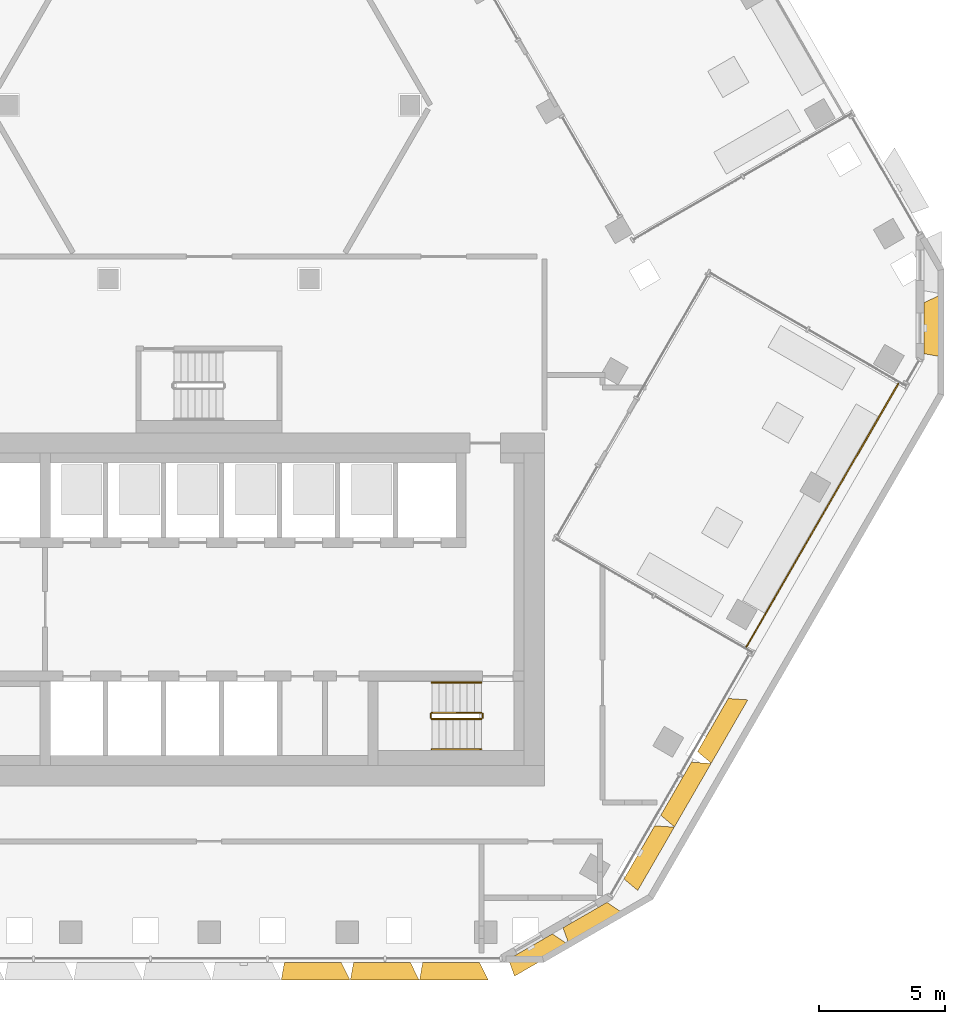
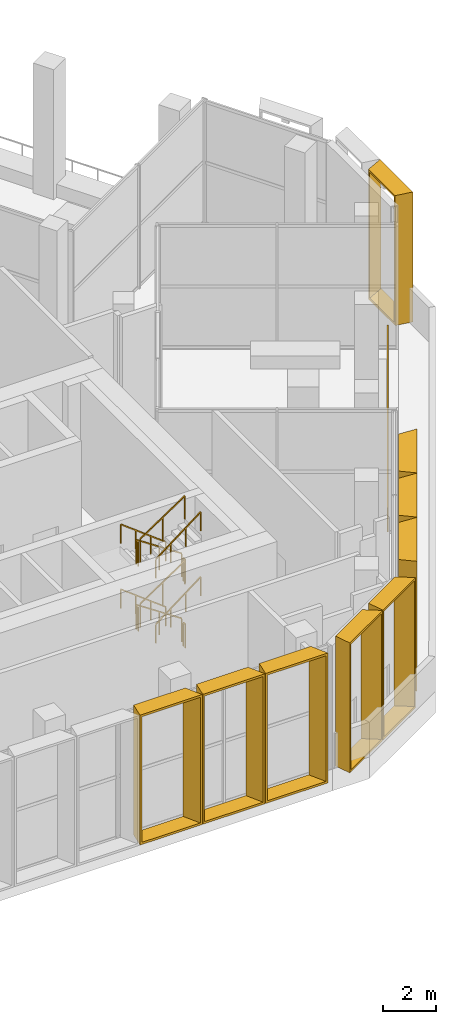
# One storey, part 24 of 27: 13 railings, 9 shading devices.
"""IFC4 building model written with IfcOpenShell, lengths in metres."""

from ifc_helpers import new_model, entity, si_unit, direction, frame, origin, origin_2d, place, context, subcontext, project, spatial, rectangle, extrude, source, transform, mapped, material, type_object, type_shapes, element, save


model = new_model("IFC4")

# Units and contexts
model_context = context("Model", 3, precision=1e-05, world=origin(), true_north=direction((0.0, 1.0)))
body_context = subcontext(model_context, "Body", "Model", "MODEL_VIEW")
ifc_project = project(units=[si_unit("LENGTHUNIT", "METRE"), si_unit("AREAUNIT", "SQUARE_METRE"), si_unit("VOLUMEUNIT", "CUBIC_METRE"), si_unit("PLANEANGLEUNIT", "RADIAN"), si_unit("MASSUNIT", "GRAM", prefix="KILO")], contexts=[model_context])

# Site, building, storey
site_placement = place(None, origin())
site = spatial("IfcSite", under=ifc_project, at=site_placement, CompositionType="ELEMENT")
building_placement = place(site_placement, origin())
building = spatial("IfcBuilding", under=site, at=building_placement, Name="Beryl Residences", CompositionType="ELEMENT")
storey_placement = place(building_placement, frame((0.0, 0.0, 111.60009765625)))
storey = spatial("IfcBuildingStorey", under=building, at=storey_placement, Name="L34", CompositionType="ELEMENT", Elevation=111.60009765625)

# Shading devices
ifc_material_1 = material(Name="Aluminium pale anodised", Category="aluminium")
shading_device_type_1 = type_object("IfcShadingDeviceType", Name="FR250-70C-H60 OUTER SKIN frame 700 mm deep, splay 10/26 deg, 2500 x 6000 mm cell", PredefinedType="USERDEFINED", material=ifc_material_1)
cartesian_point_1 = entity("IfcCartesianPoint", [-1.007568359375, 0.0])
cartesian_point_2 = entity("IfcCartesianPoint", [-0.92626953125, 0.10009765625])
cartesian_point_3 = entity("IfcCartesianPoint", [-1.130859375, 0.0])
cartesian_point_4 = entity("IfcCartesianPoint", [-1.0498046875, 0.10009765625])
shared_shape_1 = source(origin(), body_context, "Body", "SweptSolid", [
    entity("IfcExtrudedAreaSolidTapered", entity("IfcArbitraryProfileDefWithVoids", "AREA", None, entity("IfcPolyline", [cartesian_point_1, entity("IfcCartesianPoint", [1.007568359375, 0.0]), entity("IfcCartesianPoint", [1.007568359375, 6.0]), entity("IfcCartesianPoint", [-1.007568359375, 6.0]), cartesian_point_1]), [entity("IfcPolyline", [cartesian_point_2, entity("IfcCartesianPoint", [0.91845703125, 0.10009765625]), entity("IfcCartesianPoint", [0.91845703125, 5.89990234375]), entity("IfcCartesianPoint", [-0.92626953125, 5.89990234375]), cartesian_point_2])]), entity("IfcAxis2Placement3D", entity("IfcCartesianPoint", [0.0, 0.0, 0.0]), entity("IfcDirection", [0.0, 1.0, 0.0]), entity("IfcDirection", [-1.0, 0.0, 0.0])), entity("IfcDirection", [0.0, 0.0, 1.0]), 0.699951171875, entity("IfcArbitraryProfileDefWithVoids", "AREA", None, entity("IfcPolyline", [cartesian_point_3, entity("IfcCartesianPoint", [1.348876953125, 0.0]), entity("IfcCartesianPoint", [1.348876953125, 6.0]), entity("IfcCartesianPoint", [-1.130859375, 6.0]), cartesian_point_3]), [entity("IfcPolyline", [cartesian_point_4, entity("IfcCartesianPoint", [1.260009765625, 0.10009765625]), entity("IfcCartesianPoint", [1.260009765625, 5.89990234375]), entity("IfcCartesianPoint", [-1.0498046875, 5.89990234375]), cartesian_point_4])])),
])
type_shapes(shading_device_type_1, [shared_shape_1])
for number, where, z_axis, x_axis, name in (
    (1, (12.7451171875, -25.375, 0.0), (0.0, 0.0, 1.0), (-0.866025403784, -0.5, 0.0), "FR250-70C-H60 frame L34 S-SE 1"),
    (2, (14.909912109375, -24.125, 0.0), (0.0, 0.0, 1.0), (-0.866025403784, -0.5, 0.0), "FR250-70C-H60 frame L34 S-SE 2"),
    (3, (28.347900390625, -0.85009765625, 0.0), (0.0, 0.0, 1.0), (0.0, -1.0, 0.0), "FR250-70C-H60 frame L34 SE-NE 1"),
):
    element("IfcShadingDevice", number, at=place(storey_placement, frame(where, z_axis=z_axis, x_axis=x_axis)), inside=storey, type_object=shading_device_type_1, Name=name, ObjectType="OUTER SKIN", PredefinedType="USERDEFINED", context=body_context, shape_type="MappedRepresentation", body=[
        mapped(shared_shape_1, transform((0.0, 0.0, 0.0))),
    ])
ifc_material_2 = material(Name="Aluminium pale anodised", Category="aluminium")
shading_device_type_2 = type_object("IfcShadingDeviceType", Name="FR274-70C-H60 OUTER SKIN frame 700 mm deep, splay 10/26 deg, 2740 x 6000 mm cell", PredefinedType="USERDEFINED", material=ifc_material_2)
cartesian_point_5 = entity("IfcCartesianPoint", [-1.12744140625, 0.0])
cartesian_point_6 = entity("IfcCartesianPoint", [-1.04638671875, 0.10009765625])
cartesian_point_7 = entity("IfcCartesianPoint", [-1.2509765625, 0.0])
cartesian_point_8 = entity("IfcCartesianPoint", [-1.169677734375, 0.10009765625])
shared_shape_2 = source(origin(), body_context, "Body", "SweptSolid", [
    entity("IfcExtrudedAreaSolidTapered", entity("IfcArbitraryProfileDefWithVoids", "AREA", None, entity("IfcPolyline", [cartesian_point_5, entity("IfcCartesianPoint", [1.12744140625, 0.0]), entity("IfcCartesianPoint", [1.12744140625, 6.0]), entity("IfcCartesianPoint", [-1.12744140625, 6.0]), cartesian_point_5]), [entity("IfcPolyline", [cartesian_point_6, entity("IfcCartesianPoint", [1.03857421875, 0.10009765625]), entity("IfcCartesianPoint", [1.03857421875, 5.89990234375]), entity("IfcCartesianPoint", [-1.04638671875, 5.89990234375]), cartesian_point_6])]), entity("IfcAxis2Placement3D", entity("IfcCartesianPoint", [0.0, 0.0, 0.0]), entity("IfcDirection", [0.0, 1.0, 0.0]), entity("IfcDirection", [-1.0, 0.0, 0.0])), entity("IfcDirection", [0.0, 0.0, 1.0]), 0.699951171875, entity("IfcArbitraryProfileDefWithVoids", "AREA", None, entity("IfcPolyline", [cartesian_point_7, entity("IfcCartesianPoint", [1.468994140625, 0.0]), entity("IfcCartesianPoint", [1.468994140625, 6.0]), entity("IfcCartesianPoint", [-1.2509765625, 6.0]), cartesian_point_7]), [entity("IfcPolyline", [cartesian_point_8, entity("IfcCartesianPoint", [1.3798828125, 0.10009765625]), entity("IfcCartesianPoint", [1.3798828125, 5.89990234375]), entity("IfcCartesianPoint", [-1.169677734375, 5.89990234375]), cartesian_point_8])])),
])
type_shapes(shading_device_type_2, [shared_shape_2])
for number, where, z_axis, x_axis, name in (
    (4, (4.114990234375, -26.0, 0.0), (0.0, 0.0, 1.0), (-1.0, 0.0, 0.0), "FR274-70C-H60 frame L34 S 6"),
    (5, (6.85693359375, -26.0, 0.0), (0.0, 0.0, 1.0), (-1.0, 0.0, 0.0), "FR274-70C-H60 frame L34 S 7"),
    (6, (9.60009765625, -26.0, 0.0), (0.0, 0.0, 1.0), (-1.0, 0.0, 0.0), "FR274-70C-H60 frame L34 S 8"),
):
    element("IfcShadingDevice", number, at=place(storey_placement, frame(where, z_axis=z_axis, x_axis=x_axis)), inside=storey, type_object=shading_device_type_2, Name=name, ObjectType="OUTER SKIN", PredefinedType="USERDEFINED", context=body_context, shape_type="MappedRepresentation", body=[
        mapped(shared_shape_2, transform((0.0, 0.0, 0.0))),
    ])
ifc_material_3 = material(Name="Aluminium pale anodised", Category="aluminium")
shading_device_type_3 = type_object("IfcShadingDeviceType", Name="FR292-70C-H60 OUTER SKIN frame 700 mm deep, splay 10/26 deg, 2920 x 6000 mm cell", PredefinedType="USERDEFINED", material=ifc_material_3)
cartesian_point_9 = entity("IfcCartesianPoint", [-1.217529296875, 0.0])
cartesian_point_10 = entity("IfcCartesianPoint", [-1.13623046875, 0.10009765625])
cartesian_point_11 = entity("IfcCartesianPoint", [-1.3408203125, 0.0])
cartesian_point_12 = entity("IfcCartesianPoint", [-1.259765625, 0.10009765625])
shared_shape_3 = source(origin(), body_context, "Body", "SweptSolid", [
    entity("IfcExtrudedAreaSolidTapered", entity("IfcArbitraryProfileDefWithVoids", "AREA", None, entity("IfcPolyline", [cartesian_point_9, entity("IfcCartesianPoint", [1.217529296875, 0.0]), entity("IfcCartesianPoint", [1.217529296875, 6.0]), entity("IfcCartesianPoint", [-1.217529296875, 6.0]), cartesian_point_9]), [entity("IfcPolyline", [cartesian_point_10, entity("IfcCartesianPoint", [1.12841796875, 0.10009765625]), entity("IfcCartesianPoint", [1.12841796875, 5.89990234375]), entity("IfcCartesianPoint", [-1.13623046875, 5.89990234375]), cartesian_point_10])]), entity("IfcAxis2Placement3D", entity("IfcCartesianPoint", [0.0, 0.0, 0.0]), entity("IfcDirection", [0.0, 1.0, 0.0]), entity("IfcDirection", [-1.0, 0.0, 0.0])), entity("IfcDirection", [0.0, 0.0, 1.0]), 0.699951171875, entity("IfcArbitraryProfileDefWithVoids", "AREA", None, entity("IfcPolyline", [cartesian_point_11, entity("IfcCartesianPoint", [1.558837890625, 0.0]), entity("IfcCartesianPoint", [1.558837890625, 6.0]), entity("IfcCartesianPoint", [-1.3408203125, 6.0]), cartesian_point_11]), [entity("IfcPolyline", [cartesian_point_12, entity("IfcCartesianPoint", [1.469970703125, 0.10009765625]), entity("IfcCartesianPoint", [1.469970703125, 5.89990234375]), entity("IfcCartesianPoint", [-1.259765625, 5.89990234375]), cartesian_point_12])])),
])
type_shapes(shading_device_type_3, [shared_shape_3])
for number, where, z_axis, x_axis, name in (
    (7, (17.06689453125, -21.637939453125, 0.0), (0.0, 0.0, 1.0), (-0.5, -0.866025403784, 0.0), "FR292-70C-H60 frame L34 SE 1"),
    (8, (18.52490234375, -19.113037109375, 0.0), (0.0, 0.0, 1.0), (-0.5, -0.866025403784, 0.0), "FR292-70C-H60 frame L34 SE 2"),
    (9, (19.98291015625, -16.587890625, 0.0), (0.0, 0.0, 1.0), (-0.5, -0.866025403784, 0.0), "FR292-70C-H60 frame L34 SE 3"),
):
    element("IfcShadingDevice", number, at=place(storey_placement, frame(where, z_axis=z_axis, x_axis=x_axis)), inside=storey, type_object=shading_device_type_3, Name=name, ObjectType="OUTER SKIN", PredefinedType="USERDEFINED", context=body_context, shape_type="MappedRepresentation", body=[
        mapped(shared_shape_3, transform((0.0, 0.0, 0.0))),
    ])

# Railings
ifc_material_4 = material(Name="Stainless steel balustrade with glass infill", Category="steel")
railing_type_1 = type_object("IfcRailingType", Name="SG1 stair guard 1100 mm", PredefinedType="GUARDRAIL", material=ifc_material_4)
railing_1_placement = place(storey_placement, frame((10.800048828125, -16.10009765625, 0.1875)))
element("IfcRailing", 10, at=railing_1_placement, inside=storey, type_object=railing_type_1, Name="L34 ST-3 stair guard 1", PredefinedType="GUARDRAIL", context=body_context, shape_type="SweptSolid", body=[
    extrude(rectangle(XDim=0.048095703125, YDim=0.048095703125, at=origin_2d()), frame((0.0, 0.0, 1.076171875), z_axis=(-0.830902050051, 0.0, 0.556418712142), x_axis=(0.0, -1.0, 0.0)), (0.0, 0.0, 1.0), 2.35888671875),
    extrude(rectangle(XDim=0.0419921875, YDim=0.0419921875, at=origin_2d()), origin(), (0.0, 0.0, 1.0), 1.052001953125),
    extrude(rectangle(XDim=0.0419921875, YDim=0.0419921875, at=origin_2d()), frame((-0.97998046875, 0.0, 0.65625)), (0.0, 0.0, 1.0), 1.052001953125),
    extrude(rectangle(XDim=0.0419921875, YDim=0.0419921875, at=origin_2d()), frame((-1.9599609375, 0.0, 1.3125)), (0.0, 0.0, 1.0), 1.052001953125),
])
railing_2_placement = place(storey_placement, frame((8.7900390625, -16.14990234375, 1.5)))
element("IfcRailing", 11, at=railing_2_placement, inside=storey, type_object=railing_type_1, Name="L34 ST-3 stair guard 2", PredefinedType="GUARDRAIL", context=body_context, shape_type="SweptSolid", body=[
    extrude(rectangle(XDim=0.048095703125, YDim=0.048095703125, at=origin_2d()), frame((0.0, 0.0, 1.076171875), z_axis=(0.0, -1.0, 0.0), x_axis=(1.0, 0.0, 0.0)), (0.0, 0.0, 1.0), 0.150146484375),
    extrude(rectangle(XDim=0.0419921875, YDim=0.0419921875, at=origin_2d()), origin(), (0.0, 0.0, 1.0), 1.052001953125),
    extrude(rectangle(XDim=0.0419921875, YDim=0.0419921875, at=origin_2d()), frame((0.0, -0.150146484375, 0.0)), (0.0, 0.0, 1.0), 1.052001953125),
])
railing_3_placement = place(storey_placement, frame((8.840087890625, -16.35009765625, 1.6875)))
element("IfcRailing", 12, at=railing_3_placement, inside=storey, type_object=railing_type_1, Name="L34 ST-3 stair guard 3", PredefinedType="GUARDRAIL", context=body_context, shape_type="SweptSolid", body=[
    extrude(rectangle(XDim=0.048095703125, YDim=0.048095703125, at=origin_2d()), frame((0.0, 0.0, 1.076171875), z_axis=(0.830902050051, 0.0, 0.556418712142), x_axis=(0.0, 1.0, 0.0)), (0.0, 0.0, 1.0), 2.35888671875),
    extrude(rectangle(XDim=0.0419921875, YDim=0.0419921875, at=origin_2d()), origin(), (0.0, 0.0, 1.0), 1.052001953125),
    extrude(rectangle(XDim=0.0419921875, YDim=0.0419921875, at=origin_2d()), frame((0.97998046875, 0.0, 0.65625)), (0.0, 0.0, 1.0), 1.052001953125),
    extrude(rectangle(XDim=0.0419921875, YDim=0.0419921875, at=origin_2d()), frame((1.9599609375, 0.0, 1.3125)), (0.0, 0.0, 1.0), 1.052001953125),
])
railing_4_placement = place(storey_placement, frame((10.85009765625, -16.14990234375, 3.0)))
element("IfcRailing", 13, at=railing_4_placement, inside=storey, type_object=railing_type_1, Name="L34 ST-3 stair guard 4", PredefinedType="GUARDRAIL", context=body_context, shape_type="SweptSolid", body=[
    extrude(rectangle(XDim=0.048095703125, YDim=0.048095703125, at=origin_2d()), frame((0.0, 0.0, 1.076171875), z_axis=(0.0, -1.0, 0.0), x_axis=(1.0, 0.0, 0.0)), (0.0, 0.0, 1.0), 0.150146484375),
    extrude(rectangle(XDim=0.0419921875, YDim=0.0419921875, at=origin_2d()), origin(), (0.0, 0.0, 1.0), 1.052001953125),
    extrude(rectangle(XDim=0.0419921875, YDim=0.0419921875, at=origin_2d()), frame((0.0, -0.150146484375, 0.0)), (0.0, 0.0, 1.0), 1.052001953125),
])
railing_5_placement = place(storey_placement, frame((10.800048828125, -16.10009765625, 3.1875)))
element("IfcRailing", 14, at=railing_5_placement, inside=storey, type_object=railing_type_1, Name="L34 ST-3 stair guard 5", PredefinedType="GUARDRAIL", context=body_context, shape_type="SweptSolid", body=[
    extrude(rectangle(XDim=0.048095703125, YDim=0.048095703125, at=origin_2d()), frame((0.0, 0.0, 1.076171875), z_axis=(-0.830902050051, 0.0, 0.556418712142), x_axis=(0.0, -1.0, 0.0)), (0.0, 0.0, 1.0), 2.35888671875),
    extrude(rectangle(XDim=0.0419921875, YDim=0.0419921875, at=origin_2d()), origin(), (0.0, 0.0, 1.0), 1.052001953125),
    extrude(rectangle(XDim=0.0419921875, YDim=0.0419921875, at=origin_2d()), frame((-0.97998046875, 0.0, 0.65625)), (0.0, 0.0, 1.0), 1.052001953125),
    extrude(rectangle(XDim=0.0419921875, YDim=0.0419921875, at=origin_2d()), frame((-1.9599609375, 0.0, 1.3125)), (0.0, 0.0, 1.0), 1.052001953125),
])
railing_6_placement = place(storey_placement, frame((8.7900390625, -16.14990234375, 4.5)))
element("IfcRailing", 15, at=railing_6_placement, inside=storey, type_object=railing_type_1, Name="L34 ST-3 stair guard 6", PredefinedType="GUARDRAIL", context=body_context, shape_type="SweptSolid", body=[
    extrude(rectangle(XDim=0.048095703125, YDim=0.048095703125, at=origin_2d()), frame((0.0, 0.0, 1.076171875), z_axis=(0.0, -1.0, 0.0), x_axis=(1.0, 0.0, 0.0)), (0.0, 0.0, 1.0), 0.150146484375),
    extrude(rectangle(XDim=0.0419921875, YDim=0.0419921875, at=origin_2d()), origin(), (0.0, 0.0, 1.0), 1.052001953125),
    extrude(rectangle(XDim=0.0419921875, YDim=0.0419921875, at=origin_2d()), frame((0.0, -0.150146484375, 0.0)), (0.0, 0.0, 1.0), 1.052001953125),
])
railing_7_placement = place(storey_placement, frame((8.840087890625, -16.35009765625, 4.6875)))
element("IfcRailing", 16, at=railing_7_placement, inside=storey, type_object=railing_type_1, Name="L34 ST-3 stair guard 7", PredefinedType="GUARDRAIL", context=body_context, shape_type="SweptSolid", body=[
    extrude(rectangle(XDim=0.048095703125, YDim=0.048095703125, at=origin_2d()), frame((0.0, 0.0, 1.076171875), z_axis=(0.830902050051, 0.0, 0.556418712142), x_axis=(0.0, 1.0, 0.0)), (0.0, 0.0, 1.0), 2.35888671875),
    extrude(rectangle(XDim=0.0419921875, YDim=0.0419921875, at=origin_2d()), origin(), (0.0, 0.0, 1.0), 1.052001953125),
    extrude(rectangle(XDim=0.0419921875, YDim=0.0419921875, at=origin_2d()), frame((0.97998046875, 0.0, 0.65625)), (0.0, 0.0, 1.0), 1.052001953125),
    extrude(rectangle(XDim=0.0419921875, YDim=0.0419921875, at=origin_2d()), frame((1.9599609375, 0.0, 1.3125)), (0.0, 0.0, 1.0), 1.052001953125),
])
railing_8_placement = place(storey_placement, frame((10.85009765625, -16.14990234375, 0.0)))
element("IfcRailing", 17, at=railing_8_placement, inside=storey, type_object=railing_type_1, Name="L34 ST-3 stair guard 8", PredefinedType="GUARDRAIL", context=body_context, shape_type="SweptSolid", body=[
    extrude(rectangle(XDim=0.048095703125, YDim=0.048095703125, at=origin_2d()), frame((0.0, 0.0, 1.076171875), z_axis=(0.0, -1.0, 0.0), x_axis=(1.0, 0.0, 0.0)), (0.0, 0.0, 1.0), 0.150146484375),
    extrude(rectangle(XDim=0.0419921875, YDim=0.0419921875, at=origin_2d()), origin(), (0.0, 0.0, 1.0), 1.052001953125),
    extrude(rectangle(XDim=0.0419921875, YDim=0.0419921875, at=origin_2d()), frame((0.0, -0.150146484375, 0.0)), (0.0, 0.0, 1.0), 1.052001953125),
])
ifc_material_5 = material(Name="Stainless steel handrail", Category="steel")
railing_type_2 = type_object("IfcRailingType", Name="SRL1 stair handrail 900 mm", PredefinedType="HANDRAIL", material=ifc_material_5)
railing_9_placement = place(storey_placement, frame((10.800048828125, -14.89990234375, 0.1875)))
element("IfcRailing", 18, at=railing_9_placement, inside=storey, type_object=railing_type_2, Name="L34 ST-3 stair handrail 1", PredefinedType="HANDRAIL", context=body_context, shape_type="SweptSolid", body=[
    extrude(rectangle(XDim=0.048095703125, YDim=0.048095703125, at=origin_2d()), frame((0.0, 0.0, 0.8759765625), z_axis=(-0.794121922505, 0.0, 0.607758481798), x_axis=(0.0, -1.0, 0.0)), (0.0, 0.0, 1.0), 2.468017578125),
    extrude(rectangle(XDim=0.0419921875, YDim=0.0419921875, at=origin_2d()), origin(), (0.0, 0.0, 1.0), 0.851806640625),
    extrude(rectangle(XDim=0.0419921875, YDim=0.0419921875, at=origin_2d()), frame((-0.6533203125, 0.0, 0.5)), (0.0, 0.0, 1.0), 0.851806640625),
    extrude(rectangle(XDim=0.0419921875, YDim=0.0419921875, at=origin_2d()), frame((-1.306640625, 0.0, 1.0)), (0.0, 0.0, 1.0), 0.851806640625),
    extrude(rectangle(XDim=0.0419921875, YDim=0.0419921875, at=origin_2d()), frame((-1.9599609375, 0.0, 1.5)), (0.0, 0.0, 1.0), 0.851806640625),
])
railing_10_placement = place(storey_placement, frame((8.840087890625, -17.550048828125, 1.6875)))
element("IfcRailing", 19, at=railing_10_placement, inside=storey, type_object=railing_type_2, Name="L34 ST-3 stair handrail 2", PredefinedType="HANDRAIL", context=body_context, shape_type="SweptSolid", body=[
    extrude(rectangle(XDim=0.048095703125, YDim=0.048095703125, at=origin_2d()), frame((0.0, 0.0, 0.8759765625), z_axis=(0.794121922505, 0.0, 0.607758481798), x_axis=(0.0, 1.0, 0.0)), (0.0, 0.0, 1.0), 2.468017578125),
    extrude(rectangle(XDim=0.0419921875, YDim=0.0419921875, at=origin_2d()), origin(), (0.0, 0.0, 1.0), 0.851806640625),
    extrude(rectangle(XDim=0.0419921875, YDim=0.0419921875, at=origin_2d()), frame((0.6533203125, 0.0, 0.5)), (0.0, 0.0, 1.0), 0.851806640625),
    extrude(rectangle(XDim=0.0419921875, YDim=0.0419921875, at=origin_2d()), frame((1.306640625, 0.0, 1.0)), (0.0, 0.0, 1.0), 0.851806640625),
    extrude(rectangle(XDim=0.0419921875, YDim=0.0419921875, at=origin_2d()), frame((1.9599609375, 0.0, 1.5)), (0.0, 0.0, 1.0), 0.851806640625),
])
railing_11_placement = place(storey_placement, frame((10.800048828125, -14.89990234375, 3.1875)))
element("IfcRailing", 20, at=railing_11_placement, inside=storey, type_object=railing_type_2, Name="L34 ST-3 stair handrail 3", PredefinedType="HANDRAIL", context=body_context, shape_type="SweptSolid", body=[
    extrude(rectangle(XDim=0.048095703125, YDim=0.048095703125, at=origin_2d()), frame((0.0, 0.0, 0.8759765625), z_axis=(-0.794121922505, 0.0, 0.607758481798), x_axis=(0.0, -1.0, 0.0)), (0.0, 0.0, 1.0), 2.468017578125),
    extrude(rectangle(XDim=0.0419921875, YDim=0.0419921875, at=origin_2d()), origin(), (0.0, 0.0, 1.0), 0.851806640625),
    extrude(rectangle(XDim=0.0419921875, YDim=0.0419921875, at=origin_2d()), frame((-0.6533203125, 0.0, 0.5)), (0.0, 0.0, 1.0), 0.851806640625),
    extrude(rectangle(XDim=0.0419921875, YDim=0.0419921875, at=origin_2d()), frame((-1.306640625, 0.0, 1.0)), (0.0, 0.0, 1.0), 0.851806640625),
    extrude(rectangle(XDim=0.0419921875, YDim=0.0419921875, at=origin_2d()), frame((-1.9599609375, 0.0, 1.5)), (0.0, 0.0, 1.0), 0.851806640625),
])
railing_12_placement = place(storey_placement, frame((8.840087890625, -17.550048828125, 4.6875)))
element("IfcRailing", 21, at=railing_12_placement, inside=storey, type_object=railing_type_2, Name="L34 ST-3 stair handrail 4", PredefinedType="HANDRAIL", context=body_context, shape_type="SweptSolid", body=[
    extrude(rectangle(XDim=0.048095703125, YDim=0.048095703125, at=origin_2d()), frame((0.0, 0.0, 0.8759765625), z_axis=(0.794121922505, 0.0, 0.607758481798), x_axis=(0.0, 1.0, 0.0)), (0.0, 0.0, 1.0), 2.468017578125),
    extrude(rectangle(XDim=0.0419921875, YDim=0.0419921875, at=origin_2d()), origin(), (0.0, 0.0, 1.0), 0.851806640625),
    extrude(rectangle(XDim=0.0419921875, YDim=0.0419921875, at=origin_2d()), frame((0.6533203125, 0.0, 0.5)), (0.0, 0.0, 1.0), 0.851806640625),
    extrude(rectangle(XDim=0.0419921875, YDim=0.0419921875, at=origin_2d()), frame((1.306640625, 0.0, 1.0)), (0.0, 0.0, 1.0), 0.851806640625),
    extrude(rectangle(XDim=0.0419921875, YDim=0.0419921875, at=origin_2d()), frame((1.9599609375, 0.0, 1.5)), (0.0, 0.0, 1.0), 0.851806640625),
])
ifc_material_6 = material(Name="Stainless steel and clear glass", Category="steel")
railing_type_3 = type_object("IfcRailingType", Name="XG1 guard 1100 mm", PredefinedType="GUARDRAIL", material=ifc_material_6)
railing_13_placement = place(storey_placement, frame((21.31103515625, -13.488037109375, 0.0)))
element("IfcRailing", 22, at=railing_13_placement, inside=storey, type_object=railing_type_3, Name="XG1 guard L34 SE garden edge", PredefinedType="GUARDRAIL", context=body_context, shape_type="SweptSolid", body=[
    extrude(rectangle(XDim=0.048095703125, YDim=0.048095703125, at=origin_2d()), frame((0.0, 0.0, 1.076171875), z_axis=(0.4999785048, 0.866037813688, 0.0), x_axis=(-0.866037813688, 0.4999785048, 0.0)), (0.0, 0.0, 1.0), 12.05029296875),
    extrude(rectangle(XDim=0.0419921875, YDim=0.0419921875, at=origin_2d()), origin(), (0.0, 0.0, 1.0), 1.052001953125),
    extrude(rectangle(XDim=0.0419921875, YDim=0.0419921875, at=origin_2d()), frame((0.547607421875, 0.94873046875, 0.0)), (0.0, 0.0, 1.0), 1.052001953125),
    extrude(rectangle(XDim=0.0419921875, YDim=0.0419921875, at=origin_2d()), frame((1.095458984375, 1.8974609375, 0.0)), (0.0, 0.0, 1.0), 1.052001953125),
    extrude(rectangle(XDim=0.0419921875, YDim=0.0419921875, at=origin_2d()), frame((1.64306640625, 2.84619140625, 0.0)), (0.0, 0.0, 1.0), 1.052001953125),
    extrude(rectangle(XDim=0.0419921875, YDim=0.0419921875, at=origin_2d()), frame((2.19091796875, 3.794921875, 0.0)), (0.0, 0.0, 1.0), 1.052001953125),
    extrude(rectangle(XDim=0.0419921875, YDim=0.0419921875, at=origin_2d()), frame((2.738525390625, 4.74365234375, 0.0)), (0.0, 0.0, 1.0), 1.052001953125),
    extrude(rectangle(XDim=0.0419921875, YDim=0.0419921875, at=origin_2d()), frame((3.286376953125, 5.6923828125, 0.0)), (0.0, 0.0, 1.0), 1.052001953125),
    extrude(rectangle(XDim=0.0419921875, YDim=0.0419921875, at=origin_2d()), frame((3.833984375, 6.64111328125, 0.0)), (0.0, 0.0, 1.0), 1.052001953125),
    extrude(rectangle(XDim=0.0419921875, YDim=0.0419921875, at=origin_2d()), frame((4.3818359375, 7.58984375, 0.0)), (0.0, 0.0, 1.0), 1.052001953125),
    extrude(rectangle(XDim=0.0419921875, YDim=0.0419921875, at=origin_2d()), frame((4.929443359375, 8.53857421875, 0.0)), (0.0, 0.0, 1.0), 1.052001953125),
    extrude(rectangle(XDim=0.0419921875, YDim=0.0419921875, at=origin_2d()), frame((5.477294921875, 9.4873046875, 0.0)), (0.0, 0.0, 1.0), 1.052001953125),
    extrude(rectangle(XDim=0.0419921875, YDim=0.0419921875, at=origin_2d()), frame((6.02490234375, 10.43603515625, 0.0)), (0.0, 0.0, 1.0), 1.052001953125),
])

save(model, "model.ifc")
